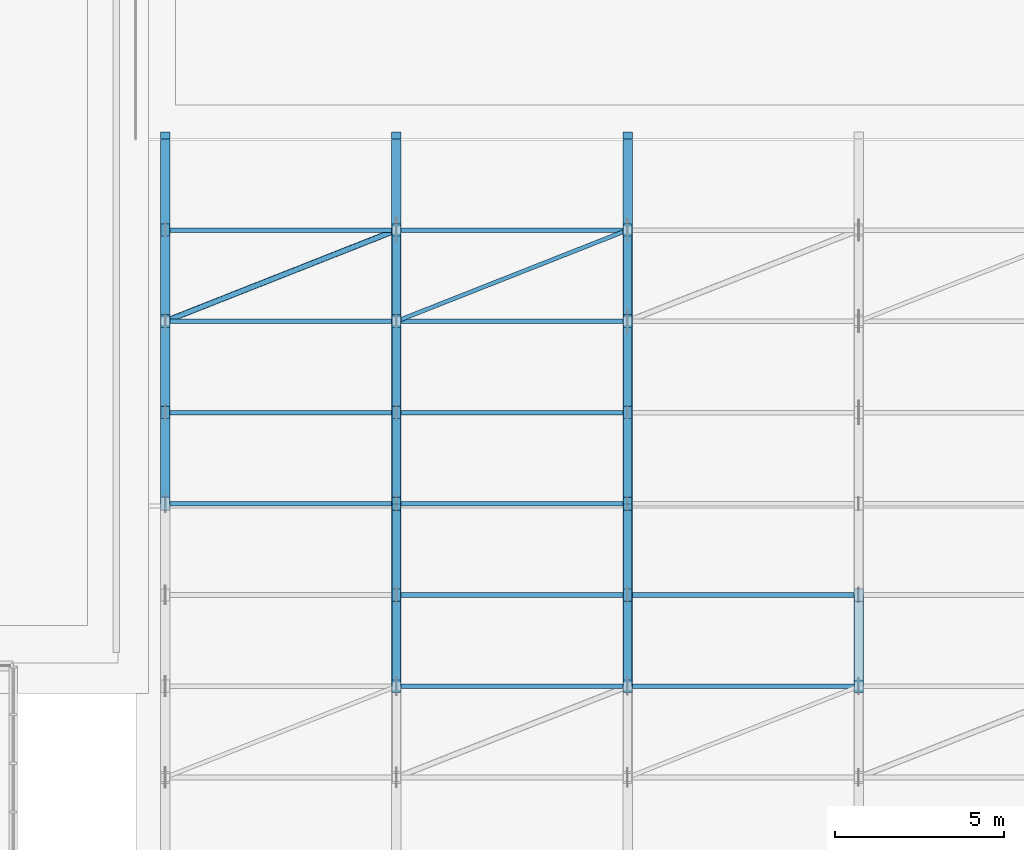
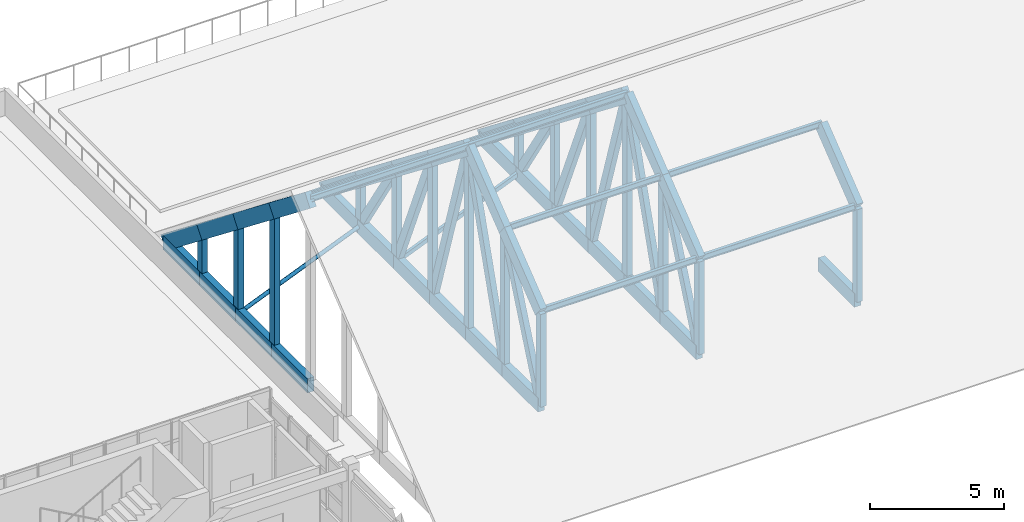
# One storey, part 17 of 79: 74 members.
"""IFC4 building model written with IfcOpenShell, lengths in metres."""

import ifcopenshell
import ifcopenshell.guid

model = None  # the IFC model being written
_history = None  # IfcOwnerHistory: only IFC2X3 demands one
_inside = {}  # id of a spatial element -> (the spatial element, [elements in it])
_under = {}  # id of a project, library or spatial element -> (it, [spatial elements below it])
_declared = {}  # id of a project -> (the project, [libraries it declares])
_typed = {}  # id of a type object -> (the type object, [elements of that type])
_made_of = {}  # id of a material, layer set ... -> (it, [elements and type objects made of it])


def new_model(schema):
    """Start an empty IFC model of exactly this schema.

    Asked for "IFC4X3", IfcOpenShell would pick the latest addendum, in which some entities
    have other attributes; the version numbers below select the first issue.
    IFC2X3 requires an IfcOwnerHistory on every rooted entity: one is made here for all.
    """
    global model, _history
    if schema == "IFC4X3":
        model = ifcopenshell.file(schema_version=(4, 3, 0, 0))
    else:
        model = ifcopenshell.file(schema=schema)
    _inside.clear()
    _under.clear()
    _declared.clear()
    _typed.clear()
    _made_of.clear()
    _history = None
    if model.schema == "IFC2X3":
        org = make("IfcOrganization", Name="unknown")
        user = make(
            "IfcPersonAndOrganization",
            ThePerson=make("IfcPerson", FamilyName="unknown"),
            TheOrganization=org,
        )
        app = make(
            "IfcApplication",
            ApplicationDeveloper=org,
            Version="unknown",
            ApplicationFullName="unknown",
            ApplicationIdentifier="unknown",
        )
        _history = make(
            "IfcOwnerHistory",
            OwningUser=user,
            OwningApplication=app,
            ChangeAction="ADDED",
            CreationDate=0,
        )
    return model


def make(cls, **values):
    """One entity of the class cls with the attributes given. An attribute that is None is left unset."""
    return model.create_entity(
        cls, **{name: value for name, value in values.items() if value is not None}
    )


def rooted(cls, **values):
    """An entity with a GlobalId (a new one), such as an element, a storey or a relation."""
    return make(cls, GlobalId=ifcopenshell.guid.new(), OwnerHistory=_history, **values)


def si_unit(unit_type, name, prefix=None):
    """IfcSIUnit, for example si_unit("LENGTHUNIT", "METRE", prefix="MILLI")."""
    return make("IfcSIUnit", UnitType=unit_type, Prefix=prefix, Name=name)


def assignment(units):
    """IfcUnitAssignment: the units of a project."""
    return None if units is None else make("IfcUnitAssignment", Units=units)


def point(xyz):
    """IfcCartesianPoint."""
    return None if xyz is None else make("IfcCartesianPoint", Coordinates=xyz)


def direction(xyz):
    """IfcDirection."""
    return None if xyz is None else make("IfcDirection", DirectionRatios=xyz)


def frame(location, z_axis=None, x_axis=None):
    """IfcAxis2Placement3D, a coordinate frame: its origin and axes. An axis left out is left unset."""
    return make(
        "IfcAxis2Placement3D",
        Location=point(location),
        Axis=direction(z_axis),
        RefDirection=direction(x_axis),
    )


def frame_2d(location, x_axis=None):
    """IfcAxis2Placement2D, a coordinate frame in the plane: its origin and x axis."""
    return make(
        "IfcAxis2Placement2D", Location=point(location), RefDirection=direction(x_axis)
    )


def origin():
    """The frame at (0, 0, 0) with its axes left unset."""
    return frame((0.0, 0.0, 0.0))


def origin_2d():
    """The frame at (0, 0) in the plane with its x axis left unset."""
    return frame_2d((0.0, 0.0))


def place(relative_to, where):
    """IfcLocalPlacement: puts the frame where relative to a parent placement (None: the world)."""
    return make(
        "IfcLocalPlacement", PlacementRelTo=relative_to, RelativePlacement=where
    )


def context(
    kind, dimensions, precision=None, world=None, true_north=None, identifier=None
):
    """IfcGeometricRepresentationContext, for example the 3D "Model" context."""
    return make(
        "IfcGeometricRepresentationContext",
        ContextIdentifier=identifier,
        ContextType=kind,
        CoordinateSpaceDimension=dimensions,
        Precision=precision,
        WorldCoordinateSystem=world,
        TrueNorth=true_north,
    )


def subcontext(parent, identifier, kind, view, scale=None):
    """IfcGeometricRepresentationSubContext, for example "Body" below "Model"."""
    return make(
        "IfcGeometricRepresentationSubContext",
        ContextIdentifier=identifier,
        ContextType=kind,
        ParentContext=parent,
        TargetScale=scale,
        TargetView=view,
    )


def project(units=None, contexts=None):
    """IfcProject with its units and contexts."""
    return rooted(
        "IfcProject",
        Name="project",
        RepresentationContexts=contexts,
        UnitsInContext=assignment(units),
    )


def spatial(cls, under=None, at=None, **own):
    """A site, building, storey or space (cls), placed at a placement, below another one or the project."""
    s = rooted(cls, ObjectPlacement=at, **own)
    if under is not None:
        _under.setdefault(under.id(), (under, []))[1].append(s)
    return s


def profile(cls, at=None, kind="AREA", **sizes):
    """A parametric profile (cls). Its sizes go by their IFC names, for example OverallWidth=200.0."""
    return make(cls, ProfileType=kind, Position=at, **sizes)


def rectangle(**sizes):
    """IfcRectangleProfileDef."""
    return profile("IfcRectangleProfileDef", **sizes)


def hollow_rectangle(**sizes):
    """IfcRectangleHollowProfileDef."""
    return profile("IfcRectangleHollowProfileDef", **sizes)


def hollow_circle(**sizes):
    """IfcCircleHollowProfileDef."""
    return profile("IfcCircleHollowProfileDef", **sizes)


def i_section(**sizes):
    """IfcIShapeProfileDef."""
    return profile("IfcIShapeProfileDef", **sizes)


def extrude(swept, where, along, depth):
    """IfcExtrudedAreaSolid: the profile swept, set in the frame where, extruded along a direction by depth."""
    return make(
        "IfcExtrudedAreaSolid",
        SweptArea=swept,
        Position=where,
        ExtrudedDirection=direction(along),
        Depth=depth,
    )


def shape(context_of_items, identifier, shape_type, items):
    """IfcShapeRepresentation: the items that make up one representation, for example the "Body"."""
    return make(
        "IfcShapeRepresentation",
        ContextOfItems=context_of_items,
        RepresentationIdentifier=identifier,
        RepresentationType=shape_type,
        Items=items,
    )


def material(Name=None, Category=None):
    """IfcMaterial."""
    return make("IfcMaterial", Name=Name, Category=Category)


def material_profile(
    of_material, cross_section, Name=None, Category=None, Priority=None
):
    """IfcMaterialProfile: a cross section and its material."""
    return make(
        "IfcMaterialProfile",
        Name=Name,
        Material=of_material,
        Profile=cross_section,
        Priority=Priority,
        Category=Category,
    )


def profile_set(profiles, Name=None, composite=None):
    """IfcMaterialProfileSet."""
    return make(
        "IfcMaterialProfileSet",
        Name=Name,
        MaterialProfiles=profiles,
        CompositeProfile=composite,
    )


def made_of(thing, what):
    """Note that an element or type object is made of a material, layer set ...; save() writes the relation."""
    if what is not None:
        _made_of.setdefault(what.id(), (what, []))[1].append(thing)
    return thing


def type_object(cls, material=None, **own):
    """A type object (cls), such as IfcWallType, which elements share."""
    return made_of(rooted(cls, **own), material)


def element(
    cls,
    number,
    at=None,
    inside=None,
    cuts=None,
    type_object=None,
    material=None,
    context=None,
    identifier="Body",
    shape_type=None,
    held_by="IfcProductDefinitionShape",
    body=None,
    shapes=None,
    **own,
):
    """One element of the class cls, such as IfcWall. Its Tag is "e" and its number.

    at: its placement. inside: the storey or other place that contains it. cuts: it is an
    opening in that element (IfcRelVoidsElement). A single representation is given by context,
    identifier, shape_type and body (its items); several are given by shapes. held_by: the class
    of the entity that holds the representations. save() writes the other relations.
    """
    e = rooted(cls, Tag="e%d" % number, ObjectPlacement=at, **own)
    if body is not None:
        shapes = [shape(context, identifier, shape_type, body)]
    if shapes is not None:
        e.Representation = make(held_by, Representations=shapes)
    if inside is not None:
        _inside.setdefault(inside.id(), (inside, []))[1].append(e)
    if cuts is not None:
        rooted(
            "IfcRelVoidsElement", RelatingBuildingElement=cuts, RelatedOpeningElement=e
        )
    if type_object is not None:
        _typed.setdefault(type_object.id(), (type_object, []))[1].append(e)
    return made_of(e, material)


def aggregate(whole, parts):
    """IfcRelAggregates: a whole, such as a stair, and the parts it consists of."""
    return rooted("IfcRelAggregates", RelatingObject=whole, RelatedObjects=parts)


def save(model, path):
    """Write the relations noted so far, then the file.

    IfcRelAggregates (storeys below a building ...), IfcRelContainedInSpatialStructure (elements
    in a storey), IfcRelDefinesByType, IfcRelAssociatesMaterial and IfcRelDeclares: one each for
    every whole, place, type object, material and project.
    """
    for whole, parts in _under.values():
        aggregate(whole, parts)
    for where, things in _inside.values():
        rooted(
            "IfcRelContainedInSpatialStructure",
            RelatedElements=things,
            RelatingStructure=where,
        )
    for kind, things in _typed.values():
        rooted("IfcRelDefinesByType", RelatedObjects=things, RelatingType=kind)
    for what, things in _made_of.values():
        rooted("IfcRelAssociatesMaterial", RelatedObjects=things, RelatingMaterial=what)
    for by, libraries in _declared.values():
        rooted("IfcRelDeclares", RelatingContext=by, RelatedDefinitions=libraries)
    model.write(path)


model = new_model("IFC4")

# Units and contexts
model_context = context("Model", 3, precision=1e-05, world=origin(), true_north=direction((0.0, 1.0)))
body_context = subcontext(model_context, "Body", "Model", "MODEL_VIEW")
ifc_project = project(units=[si_unit("LENGTHUNIT", "METRE"), si_unit("AREAUNIT", "SQUARE_METRE"), si_unit("VOLUMEUNIT", "CUBIC_METRE"), si_unit("PLANEANGLEUNIT", "RADIAN"), si_unit("MASSUNIT", "GRAM", prefix="KILO")], contexts=[model_context])

# Site, building, storey
site_placement = place(None, origin())
site = spatial("IfcSite", under=ifc_project, at=site_placement, CompositionType="ELEMENT")
building_placement = place(site_placement, origin())
building = spatial("IfcBuilding", under=site, at=building_placement, Name="Nzembalo Square Collegiate School", CompositionType="ELEMENT")
storey_placement = place(building_placement, frame((0.0, 0.0, 9.52001953125)))
storey = spatial("IfcBuildingStorey", under=building, at=storey_placement, Name="L02", CompositionType="ELEMENT", Elevation=9.52001953125)

# Members
ifc_material_1 = material(Name="Steel S355", Category="steel")
ifc_material_profile_1 = material_profile(ifc_material_1, hollow_circle(Radius=0.083984375, WallThickness=0.008056640625, at=origin_2d()), Name="CHS 168x8")
ifc_profile_set_1 = profile_set([ifc_material_profile_1], Name="Steel S355")
member_type_1 = type_object("IfcMemberType", Name="BR01", PredefinedType="BRACE", material=ifc_profile_set_1)
member_1_placement = place(storey_placement, frame((41.699951171875, 99.0, -0.60009765625), z_axis=(0.930159100227, 0.367156708049, 0.0), x_axis=(-0.367156708049, 0.930159100227, 0.0)))
element("IfcMember", 1, at=member_1_placement, inside=storey, type_object=member_type_1, Name="Roof wind brace BR01 GT-DH1-02-6", PredefinedType="BRACE", context=body_context, shape_type="SweptSolid", body=[
    extrude(hollow_circle(Radius=0.083984375, WallThickness=0.008056640625, at=origin_2d()), origin(), (0.0, 0.0, 1.0), 7.353759765625),
])
ifc_material_2 = material(Name="Steel S355", Category="steel")
ifc_material_profile_2 = material_profile(ifc_material_2, hollow_rectangle(XDim=0.1201171875, YDim=0.199951171875, WallThickness=0.008056640625, at=origin_2d()), Name="RHS 200x120x8")
ifc_profile_set_2 = profile_set([ifc_material_profile_2], Name="Steel S355")
member_type_2 = type_object("IfcMemberType", Name="BR02", PredefinedType="BRACE", material=ifc_profile_set_2)
member_2_placement = place(storey_placement, frame((48.5400390625, 99.0, -0.60009765625), z_axis=(0.930154624551, 0.367168046577, 0.0), x_axis=(-0.367168046577, 0.930154624551, 0.0)))
element("IfcMember", 2, at=member_2_placement, inside=storey, type_object=member_type_2, Name="Roof wind brace BR02 GT-DH1-03-6", PredefinedType="BRACE", context=body_context, shape_type="SweptSolid", body=[
    extrude(hollow_rectangle(XDim=0.1201171875, YDim=0.199951171875, WallThickness=0.008056640625, at=origin_2d()), origin(), (0.0, 0.0, 1.0), 7.353515625),
])
ifc_material_3 = material(Name="Steel S355", Category="steel")
ifc_material_profile_3 = material_profile(ifc_material_3, i_section(OverallWidth=0.135009765625, OverallDepth=0.27001953125, WebThickness=0.006591796875, FlangeThickness=0.01025390625, at=origin_2d()), Name="IPE 270")
ifc_profile_set_3 = profile_set([ifc_material_profile_3], Name="Steel S355")
member_type_3 = type_object("IfcMemberType", Name="PR02", PredefinedType="PURLIN", material=ifc_profile_set_3)
for number, where, z_axis, x_axis, name in (
    (3, (41.699951171875, 93.60009765625, 7.925048828125), (1.0, 0.0, 0.0), (0.0, 1.0, 0.0), "Roof purlin PR02 GT-DH1-02-4"),
    (4, (41.699951171875, 96.300048828125, 5.804931640625), (1.0, 0.0, 0.0), (0.0, 1.0, 0.0), "Roof purlin PR02 GT-DH1-02-5"),
    (5, (41.699951171875, 99.0, 3.68505859375), (1.0, 0.0, 0.0), (0.0, 1.0, 0.0), "Roof purlin PR02 GT-DH1-02-6"),
    (6, (41.699951171875, 101.699951171875, 1.56494140625), (1.0, 0.0, 0.0), (0.0, 1.0, 0.0), "Roof purlin PR02 GT-DH1-02-7"),
):
    element("IfcMember", number, at=place(storey_placement, frame(where, z_axis=z_axis, x_axis=x_axis)), inside=storey, type_object=member_type_3, Name=name, PredefinedType="PURLIN", context=body_context, shape_type="SweptSolid", body=[
        extrude(i_section(OverallWidth=0.135009765625, OverallDepth=0.27001953125, WebThickness=0.006591796875, FlangeThickness=0.01025390625, at=origin_2d()), origin(), (0.0, 0.0, 1.0), 6.840087890625),
    ])
for number, where, z_axis, x_axis, name in (
    (7, (48.5400390625, 88.199951171875, 3.68505859375), (1.0, 0.0, 0.0), (0.0, 1.0, 0.0), "Roof purlin PR02 GT-DH1-03-2"),
    (8, (48.5400390625, 90.89990234375, 5.804931640625), (1.0, 0.0, 0.0), (0.0, 1.0, 0.0), "Roof purlin PR02 GT-DH1-03-3"),
    (9, (48.5400390625, 93.60009765625, 7.925048828125), (1.0, 0.0, 0.0), (0.0, 1.0, 0.0), "Roof purlin PR02 GT-DH1-03-4"),
    (10, (48.5400390625, 96.300048828125, 5.804931640625), (1.0, 0.0, 0.0), (0.0, 1.0, 0.0), "Roof purlin PR02 GT-DH1-03-5"),
    (11, (48.5400390625, 99.0, 3.68505859375), (1.0, 0.0, 0.0), (0.0, 1.0, 0.0), "Roof purlin PR02 GT-DH1-03-6"),
    (12, (48.5400390625, 101.699951171875, 1.56494140625), (1.0, 0.0, 0.0), (0.0, 1.0, 0.0), "Roof purlin PR02 GT-DH1-03-7"),
):
    element("IfcMember", number, at=place(storey_placement, frame(where, z_axis=z_axis, x_axis=x_axis)), inside=storey, type_object=member_type_3, Name=name, PredefinedType="PURLIN", context=body_context, shape_type="SweptSolid", body=[
        extrude(i_section(OverallWidth=0.135009765625, OverallDepth=0.27001953125, WebThickness=0.006591796875, FlangeThickness=0.01025390625, at=origin_2d()), origin(), (0.0, 0.0, 1.0), 6.83984375),
    ])
for number, where, z_axis, x_axis, name in (
    (13, (55.3798828125, 88.199951171875, 3.68505859375), (1.0, 0.0, 0.0), (0.0, 1.0, 0.0), "Roof purlin PR02 GT-DH1-04-2"),
    (14, (55.3798828125, 90.89990234375, 5.804931640625), (1.0, 0.0, 0.0), (0.0, 1.0, 0.0), "Roof purlin PR02 GT-DH1-04-3"),
):
    element("IfcMember", number, at=place(storey_placement, frame(where, z_axis=z_axis, x_axis=x_axis)), inside=storey, type_object=member_type_3, Name=name, PredefinedType="PURLIN", context=body_context, shape_type="SweptSolid", body=[
        extrude(i_section(OverallWidth=0.135009765625, OverallDepth=0.27001953125, WebThickness=0.006591796875, FlangeThickness=0.01025390625, at=origin_2d()), origin(), (0.0, 0.0, 1.0), 6.840087890625),
    ])
ifc_material_4 = material(Name="Glulam GL32h", Category="wood")
ifc_material_profile_4 = material_profile(ifc_material_4, rectangle(XDim=0.280029296875, YDim=0.639892578125, at=origin_2d()), Name="GL32h 280x640")
ifc_profile_set_4 = profile_set([ifc_material_profile_4], Name="Glulam GL32h")
member_type_4 = type_object("IfcMemberType", Name="TC02", PredefinedType="CHORD", material=ifc_profile_set_4)
member_3_placement = place(storey_placement, frame((41.699951171875, 93.60009765625, 7.8798828125), z_axis=(0.0, 0.786533002077, -0.617548246409), x_axis=(-1.0, 0.0, 0.0)))
element("IfcMember", 15, at=member_3_placement, inside=storey, type_object=member_type_4, Name="GT-DH1-01 top chord 5", PredefinedType="CHORD", context=body_context, shape_type="SweptSolid", body=[
    extrude(rectangle(XDim=0.280029296875, YDim=0.639892578125, at=origin_2d()), origin(), (0.0, 0.0, 1.0), 3.4326171875),
])
member_4_placement = place(storey_placement, frame((41.699951171875, 93.60009765625, -0.60009765625), z_axis=(0.0, 1.0, 0.0), x_axis=(-1.0, 0.0, 0.0)))
element("IfcMember", 16, at=member_4_placement, inside=storey, type_object=member_type_4, Name="GT-DH1-01 bottom chord 5", PredefinedType="CHORD", context=body_context, shape_type="SweptSolid", body=[
    extrude(rectangle(XDim=0.280029296875, YDim=0.639892578125, at=origin_2d()), origin(), (0.0, 0.0, 1.0), 2.699951171875),
])
member_5_placement = place(storey_placement, frame((41.699951171875, 96.300048828125, 5.760009765625), z_axis=(0.0, 0.786498457067, -0.617592241719), x_axis=(-1.0, 0.0, 0.0)))
element("IfcMember", 17, at=member_5_placement, inside=storey, type_object=member_type_4, Name="GT-DH1-01 top chord 6", PredefinedType="CHORD", context=body_context, shape_type="SweptSolid", body=[
    extrude(rectangle(XDim=0.280029296875, YDim=0.639892578125, at=origin_2d()), origin(), (0.0, 0.0, 1.0), 3.432861328125),
])
member_6_placement = place(storey_placement, frame((41.699951171875, 96.300048828125, -0.60009765625), z_axis=(0.0, 1.0, 0.0), x_axis=(-1.0, 0.0, 0.0)))
element("IfcMember", 18, at=member_6_placement, inside=storey, type_object=member_type_4, Name="GT-DH1-01 bottom chord 6", PredefinedType="CHORD", context=body_context, shape_type="SweptSolid", body=[
    extrude(rectangle(XDim=0.280029296875, YDim=0.639892578125, at=origin_2d()), origin(), (0.0, 0.0, 1.0), 2.699951171875),
])
member_7_placement = place(storey_placement, frame((41.699951171875, 99.0, 3.639892578125), z_axis=(0.0, 0.786533002077, -0.617548246409), x_axis=(-1.0, 0.0, 0.0)))
element("IfcMember", 19, at=member_7_placement, inside=storey, type_object=member_type_4, Name="GT-DH1-01 top chord 7", PredefinedType="CHORD", context=body_context, shape_type="SweptSolid", body=[
    extrude(rectangle(XDim=0.280029296875, YDim=0.639892578125, at=origin_2d()), origin(), (0.0, 0.0, 1.0), 3.4326171875),
])
member_8_placement = place(storey_placement, frame((41.699951171875, 99.0, -0.60009765625), z_axis=(0.0, 1.0, 0.0), x_axis=(-1.0, 0.0, 0.0)))
element("IfcMember", 20, at=member_8_placement, inside=storey, type_object=member_type_4, Name="GT-DH1-01 bottom chord 7", PredefinedType="CHORD", context=body_context, shape_type="SweptSolid", body=[
    extrude(rectangle(XDim=0.280029296875, YDim=0.639892578125, at=origin_2d()), origin(), (0.0, 0.0, 1.0), 2.699951171875),
])
member_9_placement = place(storey_placement, frame((41.699951171875, 101.699951171875, 1.52001953125), z_axis=(0.0, 0.786498457067, -0.617592241719), x_axis=(-1.0, 0.0, 0.0)))
element("IfcMember", 21, at=member_9_placement, inside=storey, type_object=member_type_4, Name="GT-DH1-01 top chord 8", PredefinedType="CHORD", context=body_context, shape_type="SweptSolid", body=[
    extrude(rectangle(XDim=0.280029296875, YDim=0.639892578125, at=origin_2d()), origin(), (0.0, 0.0, 1.0), 3.432861328125),
])
member_10_placement = place(storey_placement, frame((41.699951171875, 101.699951171875, -0.60009765625), z_axis=(0.0, 1.0, 0.0), x_axis=(-1.0, 0.0, 0.0)))
element("IfcMember", 22, at=member_10_placement, inside=storey, type_object=member_type_4, Name="GT-DH1-01 bottom chord 8", PredefinedType="CHORD", context=body_context, shape_type="SweptSolid", body=[
    extrude(rectangle(XDim=0.280029296875, YDim=0.639892578125, at=origin_2d()), origin(), (0.0, 0.0, 1.0), 2.699951171875),
])
member_11_placement = place(storey_placement, frame((48.5400390625, 88.199951171875, 3.639892578125), z_axis=(0.0, 0.786498457067, 0.617592241719), x_axis=(-1.0, 0.0, 0.0)))
element("IfcMember", 23, at=member_11_placement, inside=storey, type_object=member_type_4, Name="GT-DH1-02 top chord 3", PredefinedType="CHORD", context=body_context, shape_type="SweptSolid", body=[
    extrude(rectangle(XDim=0.280029296875, YDim=0.639892578125, at=origin_2d()), origin(), (0.0, 0.0, 1.0), 3.432861328125),
])
member_12_placement = place(storey_placement, frame((48.5400390625, 88.199951171875, -0.60009765625), z_axis=(0.0, 1.0, 0.0), x_axis=(-1.0, 0.0, 0.0)))
element("IfcMember", 24, at=member_12_placement, inside=storey, type_object=member_type_4, Name="GT-DH1-02 bottom chord 3", PredefinedType="CHORD", context=body_context, shape_type="SweptSolid", body=[
    extrude(rectangle(XDim=0.280029296875, YDim=0.639892578125, at=origin_2d()), origin(), (0.0, 0.0, 1.0), 2.699951171875),
])
member_13_placement = place(storey_placement, frame((48.5400390625, 90.89990234375, 5.760009765625), z_axis=(0.0, 0.786560123124, 0.617513702449), x_axis=(-1.0, 0.0, 0.0)))
element("IfcMember", 25, at=member_13_placement, inside=storey, type_object=member_type_4, Name="GT-DH1-02 top chord 4", PredefinedType="CHORD", context=body_context, shape_type="SweptSolid", body=[
    extrude(rectangle(XDim=0.280029296875, YDim=0.639892578125, at=origin_2d()), origin(), (0.0, 0.0, 1.0), 3.432861328125),
])
member_14_placement = place(storey_placement, frame((48.5400390625, 90.89990234375, -0.60009765625), z_axis=(0.0, 1.0, 0.0), x_axis=(-1.0, 0.0, 0.0)))
element("IfcMember", 26, at=member_14_placement, inside=storey, type_object=member_type_4, Name="GT-DH1-02 bottom chord 4", PredefinedType="CHORD", context=body_context, shape_type="SweptSolid", body=[
    extrude(rectangle(XDim=0.280029296875, YDim=0.639892578125, at=origin_2d()), origin(), (0.0, 0.0, 1.0), 2.7001953125),
])
member_15_placement = place(storey_placement, frame((48.5400390625, 93.60009765625, 7.8798828125), z_axis=(0.0, 0.786533002077, -0.617548246409), x_axis=(-1.0, 0.0, 0.0)))
element("IfcMember", 27, at=member_15_placement, inside=storey, type_object=member_type_4, Name="GT-DH1-02 top chord 5", PredefinedType="CHORD", context=body_context, shape_type="SweptSolid", body=[
    extrude(rectangle(XDim=0.280029296875, YDim=0.639892578125, at=origin_2d()), origin(), (0.0, 0.0, 1.0), 3.4326171875),
])
member_16_placement = place(storey_placement, frame((48.5400390625, 93.60009765625, -0.60009765625), z_axis=(0.0, 1.0, 0.0), x_axis=(-1.0, 0.0, 0.0)))
element("IfcMember", 28, at=member_16_placement, inside=storey, type_object=member_type_4, Name="GT-DH1-02 bottom chord 5", PredefinedType="CHORD", context=body_context, shape_type="SweptSolid", body=[
    extrude(rectangle(XDim=0.280029296875, YDim=0.639892578125, at=origin_2d()), origin(), (0.0, 0.0, 1.0), 2.699951171875),
])
member_17_placement = place(storey_placement, frame((48.5400390625, 96.300048828125, 5.760009765625), z_axis=(0.0, 0.786498457067, -0.617592241719), x_axis=(-1.0, 0.0, 0.0)))
element("IfcMember", 29, at=member_17_placement, inside=storey, type_object=member_type_4, Name="GT-DH1-02 top chord 6", PredefinedType="CHORD", context=body_context, shape_type="SweptSolid", body=[
    extrude(rectangle(XDim=0.280029296875, YDim=0.639892578125, at=origin_2d()), origin(), (0.0, 0.0, 1.0), 3.432861328125),
])
member_18_placement = place(storey_placement, frame((48.5400390625, 96.300048828125, -0.60009765625), z_axis=(0.0, 1.0, 0.0), x_axis=(-1.0, 0.0, 0.0)))
element("IfcMember", 30, at=member_18_placement, inside=storey, type_object=member_type_4, Name="GT-DH1-02 bottom chord 6", PredefinedType="CHORD", context=body_context, shape_type="SweptSolid", body=[
    extrude(rectangle(XDim=0.280029296875, YDim=0.639892578125, at=origin_2d()), origin(), (0.0, 0.0, 1.0), 2.699951171875),
])
member_19_placement = place(storey_placement, frame((48.5400390625, 99.0, 3.639892578125), z_axis=(0.0, 0.786533002077, -0.617548246409), x_axis=(-1.0, 0.0, 0.0)))
element("IfcMember", 31, at=member_19_placement, inside=storey, type_object=member_type_4, Name="GT-DH1-02 top chord 7", PredefinedType="CHORD", context=body_context, shape_type="SweptSolid", body=[
    extrude(rectangle(XDim=0.280029296875, YDim=0.639892578125, at=origin_2d()), origin(), (0.0, 0.0, 1.0), 3.4326171875),
])
member_20_placement = place(storey_placement, frame((48.5400390625, 99.0, -0.60009765625), z_axis=(0.0, 1.0, 0.0), x_axis=(-1.0, 0.0, 0.0)))
element("IfcMember", 32, at=member_20_placement, inside=storey, type_object=member_type_4, Name="GT-DH1-02 bottom chord 7", PredefinedType="CHORD", context=body_context, shape_type="SweptSolid", body=[
    extrude(rectangle(XDim=0.280029296875, YDim=0.639892578125, at=origin_2d()), origin(), (0.0, 0.0, 1.0), 2.699951171875),
])
member_21_placement = place(storey_placement, frame((48.5400390625, 101.699951171875, 1.52001953125), z_axis=(0.0, 0.786498457067, -0.617592241719), x_axis=(-1.0, 0.0, 0.0)))
element("IfcMember", 33, at=member_21_placement, inside=storey, type_object=member_type_4, Name="GT-DH1-02 top chord 8", PredefinedType="CHORD", context=body_context, shape_type="SweptSolid", body=[
    extrude(rectangle(XDim=0.280029296875, YDim=0.639892578125, at=origin_2d()), origin(), (0.0, 0.0, 1.0), 3.432861328125),
])
member_22_placement = place(storey_placement, frame((48.5400390625, 101.699951171875, -0.60009765625), z_axis=(0.0, 1.0, 0.0), x_axis=(-1.0, 0.0, 0.0)))
element("IfcMember", 34, at=member_22_placement, inside=storey, type_object=member_type_4, Name="GT-DH1-02 bottom chord 8", PredefinedType="CHORD", context=body_context, shape_type="SweptSolid", body=[
    extrude(rectangle(XDim=0.280029296875, YDim=0.639892578125, at=origin_2d()), origin(), (0.0, 0.0, 1.0), 2.699951171875),
])
member_23_placement = place(storey_placement, frame((55.3798828125, 88.199951171875, 3.639892578125), z_axis=(0.0, 0.786498457067, 0.617592241719), x_axis=(-1.0, 0.0, 0.0)))
element("IfcMember", 35, at=member_23_placement, inside=storey, type_object=member_type_4, Name="GT-DH1-03 top chord 3", PredefinedType="CHORD", context=body_context, shape_type="SweptSolid", body=[
    extrude(rectangle(XDim=0.280029296875, YDim=0.639892578125, at=origin_2d()), origin(), (0.0, 0.0, 1.0), 3.432861328125),
])
member_24_placement = place(storey_placement, frame((55.3798828125, 88.199951171875, -0.60009765625), z_axis=(0.0, 1.0, 0.0), x_axis=(-1.0, 0.0, 0.0)))
element("IfcMember", 36, at=member_24_placement, inside=storey, type_object=member_type_4, Name="GT-DH1-03 bottom chord 3", PredefinedType="CHORD", context=body_context, shape_type="SweptSolid", body=[
    extrude(rectangle(XDim=0.280029296875, YDim=0.639892578125, at=origin_2d()), origin(), (0.0, 0.0, 1.0), 2.699951171875),
])
member_25_placement = place(storey_placement, frame((55.3798828125, 90.89990234375, 5.760009765625), z_axis=(0.0, 0.786560123124, 0.617513702449), x_axis=(-1.0, 0.0, 0.0)))
element("IfcMember", 37, at=member_25_placement, inside=storey, type_object=member_type_4, Name="GT-DH1-03 top chord 4", PredefinedType="CHORD", context=body_context, shape_type="SweptSolid", body=[
    extrude(rectangle(XDim=0.280029296875, YDim=0.639892578125, at=origin_2d()), origin(), (0.0, 0.0, 1.0), 3.432861328125),
])
member_26_placement = place(storey_placement, frame((55.3798828125, 90.89990234375, -0.60009765625), z_axis=(0.0, 1.0, 0.0), x_axis=(-1.0, 0.0, 0.0)))
element("IfcMember", 38, at=member_26_placement, inside=storey, type_object=member_type_4, Name="GT-DH1-03 bottom chord 4", PredefinedType="CHORD", context=body_context, shape_type="SweptSolid", body=[
    extrude(rectangle(XDim=0.280029296875, YDim=0.639892578125, at=origin_2d()), origin(), (0.0, 0.0, 1.0), 2.7001953125),
])
member_27_placement = place(storey_placement, frame((55.3798828125, 93.60009765625, 7.8798828125), z_axis=(0.0, 0.786533002077, -0.617548246409), x_axis=(-1.0, 0.0, 0.0)))
element("IfcMember", 39, at=member_27_placement, inside=storey, type_object=member_type_4, Name="GT-DH1-03 top chord 5", PredefinedType="CHORD", context=body_context, shape_type="SweptSolid", body=[
    extrude(rectangle(XDim=0.280029296875, YDim=0.639892578125, at=origin_2d()), origin(), (0.0, 0.0, 1.0), 3.4326171875),
])
member_28_placement = place(storey_placement, frame((55.3798828125, 93.60009765625, -0.60009765625), z_axis=(0.0, 1.0, 0.0), x_axis=(-1.0, 0.0, 0.0)))
element("IfcMember", 40, at=member_28_placement, inside=storey, type_object=member_type_4, Name="GT-DH1-03 bottom chord 5", PredefinedType="CHORD", context=body_context, shape_type="SweptSolid", body=[
    extrude(rectangle(XDim=0.280029296875, YDim=0.639892578125, at=origin_2d()), origin(), (0.0, 0.0, 1.0), 2.699951171875),
])
member_29_placement = place(storey_placement, frame((55.3798828125, 96.300048828125, 5.760009765625), z_axis=(0.0, 0.786498457067, -0.617592241719), x_axis=(-1.0, 0.0, 0.0)))
element("IfcMember", 41, at=member_29_placement, inside=storey, type_object=member_type_4, Name="GT-DH1-03 top chord 6", PredefinedType="CHORD", context=body_context, shape_type="SweptSolid", body=[
    extrude(rectangle(XDim=0.280029296875, YDim=0.639892578125, at=origin_2d()), origin(), (0.0, 0.0, 1.0), 3.432861328125),
])
member_30_placement = place(storey_placement, frame((55.3798828125, 96.300048828125, -0.60009765625), z_axis=(0.0, 1.0, 0.0), x_axis=(-1.0, 0.0, 0.0)))
element("IfcMember", 42, at=member_30_placement, inside=storey, type_object=member_type_4, Name="GT-DH1-03 bottom chord 6", PredefinedType="CHORD", context=body_context, shape_type="SweptSolid", body=[
    extrude(rectangle(XDim=0.280029296875, YDim=0.639892578125, at=origin_2d()), origin(), (0.0, 0.0, 1.0), 2.699951171875),
])
member_31_placement = place(storey_placement, frame((55.3798828125, 99.0, 3.639892578125), z_axis=(0.0, 0.786533002077, -0.617548246409), x_axis=(-1.0, 0.0, 0.0)))
element("IfcMember", 43, at=member_31_placement, inside=storey, type_object=member_type_4, Name="GT-DH1-03 top chord 7", PredefinedType="CHORD", context=body_context, shape_type="SweptSolid", body=[
    extrude(rectangle(XDim=0.280029296875, YDim=0.639892578125, at=origin_2d()), origin(), (0.0, 0.0, 1.0), 3.4326171875),
])
member_32_placement = place(storey_placement, frame((55.3798828125, 99.0, -0.60009765625), z_axis=(0.0, 1.0, 0.0), x_axis=(-1.0, 0.0, 0.0)))
element("IfcMember", 44, at=member_32_placement, inside=storey, type_object=member_type_4, Name="GT-DH1-03 bottom chord 7", PredefinedType="CHORD", context=body_context, shape_type="SweptSolid", body=[
    extrude(rectangle(XDim=0.280029296875, YDim=0.639892578125, at=origin_2d()), origin(), (0.0, 0.0, 1.0), 2.699951171875),
])
member_33_placement = place(storey_placement, frame((55.3798828125, 101.699951171875, 1.52001953125), z_axis=(0.0, 0.786498457067, -0.617592241719), x_axis=(-1.0, 0.0, 0.0)))
element("IfcMember", 45, at=member_33_placement, inside=storey, type_object=member_type_4, Name="GT-DH1-03 top chord 8", PredefinedType="CHORD", context=body_context, shape_type="SweptSolid", body=[
    extrude(rectangle(XDim=0.280029296875, YDim=0.639892578125, at=origin_2d()), origin(), (0.0, 0.0, 1.0), 3.432861328125),
])
member_34_placement = place(storey_placement, frame((55.3798828125, 101.699951171875, -0.60009765625), z_axis=(0.0, 1.0, 0.0), x_axis=(-1.0, 0.0, 0.0)))
element("IfcMember", 46, at=member_34_placement, inside=storey, type_object=member_type_4, Name="GT-DH1-03 bottom chord 8", PredefinedType="CHORD", context=body_context, shape_type="SweptSolid", body=[
    extrude(rectangle(XDim=0.280029296875, YDim=0.639892578125, at=origin_2d()), origin(), (0.0, 0.0, 1.0), 2.699951171875),
])
member_35_placement = place(storey_placement, frame((62.219970703125, 88.199951171875, 3.639892578125), z_axis=(0.0, 0.786498457067, 0.617592241719), x_axis=(-1.0, 0.0, 0.0)))
element("IfcMember", 47, at=member_35_placement, inside=storey, type_object=member_type_4, Name="GT-DH1-04 top chord 3", PredefinedType="CHORD", context=body_context, shape_type="SweptSolid", body=[
    extrude(rectangle(XDim=0.280029296875, YDim=0.639892578125, at=origin_2d()), origin(), (0.0, 0.0, 1.0), 3.432861328125),
])
member_36_placement = place(storey_placement, frame((62.219970703125, 88.199951171875, -0.60009765625), z_axis=(0.0, 1.0, 0.0), x_axis=(-1.0, 0.0, 0.0)))
element("IfcMember", 48, at=member_36_placement, inside=storey, type_object=member_type_4, Name="GT-DH1-04 bottom chord 3", PredefinedType="CHORD", context=body_context, shape_type="SweptSolid", body=[
    extrude(rectangle(XDim=0.280029296875, YDim=0.639892578125, at=origin_2d()), origin(), (0.0, 0.0, 1.0), 2.699951171875),
])
ifc_material_5 = material(Name="Glulam GL32h", Category="wood")
ifc_material_profile_5 = material_profile(ifc_material_5, rectangle(XDim=0.239990234375, YDim=0.360107421875, at=origin_2d()), Name="GL32h 240x360")
ifc_profile_set_5 = profile_set([ifc_material_profile_5], Name="Glulam GL32h")
member_type_5 = type_object("IfcMemberType", Name="TD02", PredefinedType="BRACE", material=ifc_profile_set_5)
member_37_placement = place(storey_placement, frame((48.5400390625, 88.199951171875, -0.60009765625), z_axis=(0.0, 0.390761264497, 0.920492060894), x_axis=(-1.0, 0.0, 0.0)))
element("IfcMember", 49, at=member_37_placement, inside=storey, type_object=member_type_5, Name="GT-DH1-02 web diagonal 2", PredefinedType="BRACE", context=body_context, shape_type="SweptSolid", body=[
    extrude(rectangle(XDim=0.239990234375, YDim=0.360107421875, at=origin_2d()), origin(), (0.0, 0.0, 1.0), 6.909423828125),
])
for number, where, z_axis, x_axis, name in (
    (50, (48.5400390625, 90.89990234375, -0.60009765625), (0.0, 0.303409732747, 0.952860186006), (-1.0, 0.0, 0.0), "GT-DH1-02 web diagonal 3"),
    (51, (48.5400390625, 96.300048828125, -0.60009765625), (0.0, -0.303384824786, 0.95286811684), (1.0, 0.0, 0.0), "GT-DH1-02 web diagonal 4"),
):
    element("IfcMember", number, at=place(storey_placement, frame(where, z_axis=z_axis, x_axis=x_axis)), inside=storey, type_object=member_type_5, Name=name, PredefinedType="BRACE", context=body_context, shape_type="SweptSolid", body=[
        extrude(rectangle(XDim=0.239990234375, YDim=0.360107421875, at=origin_2d()), origin(), (0.0, 0.0, 1.0), 8.8994140625),
    ])
member_38_placement = place(storey_placement, frame((48.5400390625, 99.0, -0.60009765625), z_axis=(0.0, -0.390761264497, 0.920492060894), x_axis=(1.0, 0.0, 0.0)))
element("IfcMember", 52, at=member_38_placement, inside=storey, type_object=member_type_5, Name="GT-DH1-02 web diagonal 5", PredefinedType="BRACE", context=body_context, shape_type="SweptSolid", body=[
    extrude(rectangle(XDim=0.239990234375, YDim=0.360107421875, at=origin_2d()), origin(), (0.0, 0.0, 1.0), 6.909423828125),
])
member_39_placement = place(storey_placement, frame((48.5400390625, 101.699951171875, -0.60009765625), z_axis=(0.0, -0.537126885437, 0.843501457581), x_axis=(1.0, 0.0, 0.0)))
element("IfcMember", 53, at=member_39_placement, inside=storey, type_object=member_type_5, Name="GT-DH1-02 web diagonal 6", PredefinedType="BRACE", context=body_context, shape_type="SweptSolid", body=[
    extrude(rectangle(XDim=0.239990234375, YDim=0.360107421875, at=origin_2d()), origin(), (0.0, 0.0, 1.0), 5.026611328125),
])
member_40_placement = place(storey_placement, frame((55.3798828125, 88.199951171875, -0.60009765625), z_axis=(0.0, 0.390761264497, 0.920492060894), x_axis=(-1.0, 0.0, 0.0)))
element("IfcMember", 54, at=member_40_placement, inside=storey, type_object=member_type_5, Name="GT-DH1-03 web diagonal 2", PredefinedType="BRACE", context=body_context, shape_type="SweptSolid", body=[
    extrude(rectangle(XDim=0.239990234375, YDim=0.360107421875, at=origin_2d()), origin(), (0.0, 0.0, 1.0), 6.909423828125),
])
for number, where, z_axis, x_axis, name in (
    (55, (55.3798828125, 90.89990234375, -0.60009765625), (0.0, 0.303409732747, 0.952860186006), (-1.0, 0.0, 0.0), "GT-DH1-03 web diagonal 3"),
    (56, (55.3798828125, 96.300048828125, -0.60009765625), (0.0, -0.303384824786, 0.95286811684), (1.0, 0.0, 0.0), "GT-DH1-03 web diagonal 4"),
):
    element("IfcMember", number, at=place(storey_placement, frame(where, z_axis=z_axis, x_axis=x_axis)), inside=storey, type_object=member_type_5, Name=name, PredefinedType="BRACE", context=body_context, shape_type="SweptSolid", body=[
        extrude(rectangle(XDim=0.239990234375, YDim=0.360107421875, at=origin_2d()), origin(), (0.0, 0.0, 1.0), 8.8994140625),
    ])
member_41_placement = place(storey_placement, frame((55.3798828125, 99.0, -0.60009765625), z_axis=(0.0, -0.390761264497, 0.920492060894), x_axis=(1.0, 0.0, 0.0)))
element("IfcMember", 57, at=member_41_placement, inside=storey, type_object=member_type_5, Name="GT-DH1-03 web diagonal 5", PredefinedType="BRACE", context=body_context, shape_type="SweptSolid", body=[
    extrude(rectangle(XDim=0.239990234375, YDim=0.360107421875, at=origin_2d()), origin(), (0.0, 0.0, 1.0), 6.909423828125),
])
member_42_placement = place(storey_placement, frame((55.3798828125, 101.699951171875, -0.60009765625), z_axis=(0.0, -0.537126885437, 0.843501457581), x_axis=(1.0, 0.0, 0.0)))
element("IfcMember", 58, at=member_42_placement, inside=storey, type_object=member_type_5, Name="GT-DH1-03 web diagonal 6", PredefinedType="BRACE", context=body_context, shape_type="SweptSolid", body=[
    extrude(rectangle(XDim=0.239990234375, YDim=0.360107421875, at=origin_2d()), origin(), (0.0, 0.0, 1.0), 5.026611328125),
])
ifc_material_6 = material(Name="Glulam GL32h", Category="wood")
ifc_material_profile_6 = material_profile(ifc_material_6, rectangle(XDim=0.239990234375, YDim=0.360107421875, at=origin_2d()), Name="GL32h 240x360")
ifc_profile_set_6 = profile_set([ifc_material_profile_6], Name="Glulam GL32h")
member_type_6 = type_object("IfcMemberType", Name="TP01", PredefinedType="POST", material=ifc_profile_set_6)
member_43_placement = place(storey_placement, frame((41.699951171875, 96.300048828125, -0.60009765625), z_axis=(0.0, 0.0, 1.0), x_axis=(1.0, 0.0, 0.0)))
element("IfcMember", 59, at=member_43_placement, inside=storey, type_object=member_type_6, Name="GT-DH1-01 vertical post 5", PredefinedType="POST", context=body_context, shape_type="SweptSolid", body=[
    extrude(rectangle(XDim=0.239990234375, YDim=0.360107421875, at=origin_2d()), origin(), (0.0, 0.0, 1.0), 6.360107421875),
])
member_44_placement = place(storey_placement, frame((41.699951171875, 99.0, -0.60009765625), z_axis=(0.0, 0.0, 1.0), x_axis=(1.0, 0.0, 0.0)))
element("IfcMember", 60, at=member_44_placement, inside=storey, type_object=member_type_6, Name="GT-DH1-01 vertical post 6", PredefinedType="POST", context=body_context, shape_type="SweptSolid", body=[
    extrude(rectangle(XDim=0.239990234375, YDim=0.360107421875, at=origin_2d()), origin(), (0.0, 0.0, 1.0), 4.239990234375),
])
member_45_placement = place(storey_placement, frame((41.699951171875, 101.699951171875, -0.60009765625), z_axis=(0.0, 0.0, 1.0), x_axis=(1.0, 0.0, 0.0)))
element("IfcMember", 61, at=member_45_placement, inside=storey, type_object=member_type_6, Name="GT-DH1-01 vertical post 7", PredefinedType="POST", context=body_context, shape_type="SweptSolid", body=[
    extrude(rectangle(XDim=0.239990234375, YDim=0.360107421875, at=origin_2d()), origin(), (0.0, 0.0, 1.0), 2.1201171875),
])
member_46_placement = place(storey_placement, frame((48.5400390625, 88.199951171875, -0.60009765625), z_axis=(0.0, 0.0, 1.0), x_axis=(1.0, 0.0, 0.0)))
element("IfcMember", 62, at=member_46_placement, inside=storey, type_object=member_type_6, Name="GT-DH1-02 vertical post 2", PredefinedType="POST", context=body_context, shape_type="SweptSolid", body=[
    extrude(rectangle(XDim=0.239990234375, YDim=0.360107421875, at=origin_2d()), origin(), (0.0, 0.0, 1.0), 4.239990234375),
])
member_47_placement = place(storey_placement, frame((48.5400390625, 90.89990234375, -0.60009765625), z_axis=(0.0, 0.0, 1.0), x_axis=(1.0, 0.0, 0.0)))
element("IfcMember", 63, at=member_47_placement, inside=storey, type_object=member_type_6, Name="GT-DH1-02 vertical post 3", PredefinedType="POST", context=body_context, shape_type="SweptSolid", body=[
    extrude(rectangle(XDim=0.239990234375, YDim=0.360107421875, at=origin_2d()), origin(), (0.0, 0.0, 1.0), 6.360107421875),
])
member_48_placement = place(storey_placement, frame((48.5400390625, 93.60009765625, -0.60009765625), z_axis=(0.0, 0.0, 1.0), x_axis=(1.0, 0.0, 0.0)))
element("IfcMember", 64, at=member_48_placement, inside=storey, type_object=member_type_6, Name="GT-DH1-02 vertical post 4", PredefinedType="POST", context=body_context, shape_type="SweptSolid", body=[
    extrude(rectangle(XDim=0.239990234375, YDim=0.360107421875, at=origin_2d()), origin(), (0.0, 0.0, 1.0), 8.47998046875),
])
member_49_placement = place(storey_placement, frame((48.5400390625, 96.300048828125, -0.60009765625), z_axis=(0.0, 0.0, 1.0), x_axis=(1.0, 0.0, 0.0)))
element("IfcMember", 65, at=member_49_placement, inside=storey, type_object=member_type_6, Name="GT-DH1-02 vertical post 5", PredefinedType="POST", context=body_context, shape_type="SweptSolid", body=[
    extrude(rectangle(XDim=0.239990234375, YDim=0.360107421875, at=origin_2d()), origin(), (0.0, 0.0, 1.0), 6.360107421875),
])
member_50_placement = place(storey_placement, frame((48.5400390625, 99.0, -0.60009765625), z_axis=(0.0, 0.0, 1.0), x_axis=(1.0, 0.0, 0.0)))
element("IfcMember", 66, at=member_50_placement, inside=storey, type_object=member_type_6, Name="GT-DH1-02 vertical post 6", PredefinedType="POST", context=body_context, shape_type="SweptSolid", body=[
    extrude(rectangle(XDim=0.239990234375, YDim=0.360107421875, at=origin_2d()), origin(), (0.0, 0.0, 1.0), 4.239990234375),
])
member_51_placement = place(storey_placement, frame((48.5400390625, 101.699951171875, -0.60009765625), z_axis=(0.0, 0.0, 1.0), x_axis=(1.0, 0.0, 0.0)))
element("IfcMember", 67, at=member_51_placement, inside=storey, type_object=member_type_6, Name="GT-DH1-02 vertical post 7", PredefinedType="POST", context=body_context, shape_type="SweptSolid", body=[
    extrude(rectangle(XDim=0.239990234375, YDim=0.360107421875, at=origin_2d()), origin(), (0.0, 0.0, 1.0), 2.1201171875),
])
member_52_placement = place(storey_placement, frame((55.3798828125, 88.199951171875, -0.60009765625), z_axis=(0.0, 0.0, 1.0), x_axis=(1.0, 0.0, 0.0)))
element("IfcMember", 68, at=member_52_placement, inside=storey, type_object=member_type_6, Name="GT-DH1-03 vertical post 2", PredefinedType="POST", context=body_context, shape_type="SweptSolid", body=[
    extrude(rectangle(XDim=0.239990234375, YDim=0.360107421875, at=origin_2d()), origin(), (0.0, 0.0, 1.0), 4.239990234375),
])
member_53_placement = place(storey_placement, frame((55.3798828125, 90.89990234375, -0.60009765625), z_axis=(0.0, 0.0, 1.0), x_axis=(1.0, 0.0, 0.0)))
element("IfcMember", 69, at=member_53_placement, inside=storey, type_object=member_type_6, Name="GT-DH1-03 vertical post 3", PredefinedType="POST", context=body_context, shape_type="SweptSolid", body=[
    extrude(rectangle(XDim=0.239990234375, YDim=0.360107421875, at=origin_2d()), origin(), (0.0, 0.0, 1.0), 6.360107421875),
])
member_54_placement = place(storey_placement, frame((55.3798828125, 93.60009765625, -0.60009765625), z_axis=(0.0, 0.0, 1.0), x_axis=(1.0, 0.0, 0.0)))
element("IfcMember", 70, at=member_54_placement, inside=storey, type_object=member_type_6, Name="GT-DH1-03 vertical post 4", PredefinedType="POST", context=body_context, shape_type="SweptSolid", body=[
    extrude(rectangle(XDim=0.239990234375, YDim=0.360107421875, at=origin_2d()), origin(), (0.0, 0.0, 1.0), 8.47998046875),
])
member_55_placement = place(storey_placement, frame((55.3798828125, 96.300048828125, -0.60009765625), z_axis=(0.0, 0.0, 1.0), x_axis=(1.0, 0.0, 0.0)))
element("IfcMember", 71, at=member_55_placement, inside=storey, type_object=member_type_6, Name="GT-DH1-03 vertical post 5", PredefinedType="POST", context=body_context, shape_type="SweptSolid", body=[
    extrude(rectangle(XDim=0.239990234375, YDim=0.360107421875, at=origin_2d()), origin(), (0.0, 0.0, 1.0), 6.360107421875),
])
member_56_placement = place(storey_placement, frame((55.3798828125, 99.0, -0.60009765625), z_axis=(0.0, 0.0, 1.0), x_axis=(1.0, 0.0, 0.0)))
element("IfcMember", 72, at=member_56_placement, inside=storey, type_object=member_type_6, Name="GT-DH1-03 vertical post 6", PredefinedType="POST", context=body_context, shape_type="SweptSolid", body=[
    extrude(rectangle(XDim=0.239990234375, YDim=0.360107421875, at=origin_2d()), origin(), (0.0, 0.0, 1.0), 4.239990234375),
])
member_57_placement = place(storey_placement, frame((55.3798828125, 101.699951171875, -0.60009765625), z_axis=(0.0, 0.0, 1.0), x_axis=(1.0, 0.0, 0.0)))
element("IfcMember", 73, at=member_57_placement, inside=storey, type_object=member_type_6, Name="GT-DH1-03 vertical post 7", PredefinedType="POST", context=body_context, shape_type="SweptSolid", body=[
    extrude(rectangle(XDim=0.239990234375, YDim=0.360107421875, at=origin_2d()), origin(), (0.0, 0.0, 1.0), 2.1201171875),
])
member_58_placement = place(storey_placement, frame((62.219970703125, 88.199951171875, -0.60009765625), z_axis=(0.0, 0.0, 1.0), x_axis=(1.0, 0.0, 0.0)))
element("IfcMember", 74, at=member_58_placement, inside=storey, type_object=member_type_6, Name="GT-DH1-04 vertical post 2", PredefinedType="POST", context=body_context, shape_type="SweptSolid", body=[
    extrude(rectangle(XDim=0.239990234375, YDim=0.360107421875, at=origin_2d()), origin(), (0.0, 0.0, 1.0), 4.239990234375),
])

save(model, "model.ifc")
